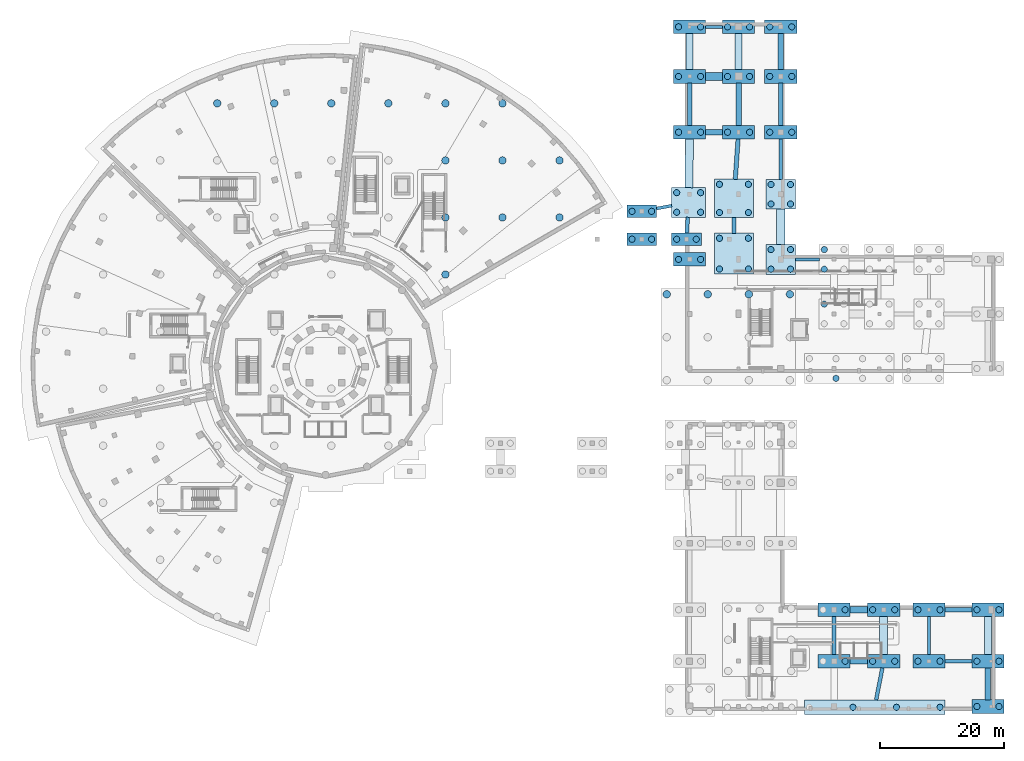
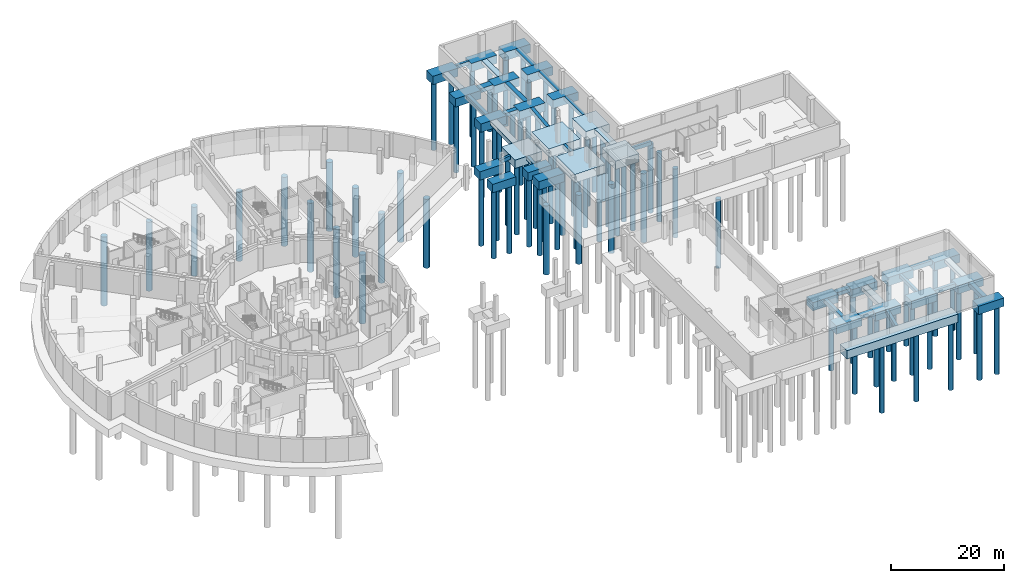
# One storey, part 2 of 33: 86 piles, 55 footings.
"""IFC4 building model written with IfcOpenShell, lengths in metres."""

from ifc_helpers import new_model, si_unit, direction, frame, origin, origin_2d, place, context, subcontext, project, spatial, rectangle, circle, extrude, material, material_profile, profile_set, type_object, element, save


model = new_model("IFC4")

# Units and contexts
model_context = context("Model", 3, precision=1e-05, world=origin(), true_north=direction((0.0, 1.0)))
body_context = subcontext(model_context, "Body", "Model", "MODEL_VIEW")
ifc_project = project(units=[si_unit("LENGTHUNIT", "METRE"), si_unit("AREAUNIT", "SQUARE_METRE"), si_unit("VOLUMEUNIT", "CUBIC_METRE"), si_unit("PLANEANGLEUNIT", "RADIAN"), si_unit("MASSUNIT", "GRAM", prefix="KILO")], contexts=[model_context])

# Site, building, storey
site_placement = place(None, origin())
site = spatial("IfcSite", under=ifc_project, at=site_placement, CompositionType="ELEMENT")
building_placement = place(site_placement, origin())
building = spatial("IfcBuilding", under=site, at=building_placement, Name="Soyqirgoq Riverine Aquarium", CompositionType="ELEMENT")
storey_placement = place(building_placement, frame((0.0, 0.0, -5.39990234375)))
storey = spatial("IfcBuildingStorey", under=building, at=storey_placement, Name="B01", CompositionType="ELEMENT", Elevation=-5.39990234375)

# Piles
ifc_material_1 = material(Name="Concrete C35/45", Category="concrete")
ifc_material_profile_1 = material_profile(ifc_material_1, circle(Radius=0.5, at=origin_2d()), Name="BP D1000")
ifc_profile_set_1 = profile_set([ifc_material_profile_1], Name="Concrete C35/45")
pile_type_1 = type_object("IfcPileType", Name="BoredPile_1000_C35", PredefinedType="BORED", material=ifc_profile_set_1)
for number, where, z_axis, x_axis, name in (
    (1, (141.0400390625, 2.074951171875, -1.7001953125), (0.0, 0.0, -1.0), (1.0, 0.0, 0.0), "Bored Pile 0104"),
    (2, (148.06005859375, 2.074951171875, -1.7001953125), (0.0, 0.0, -1.0), (1.0, 0.0, 0.0), "Bored Pile 0105"),
    (3, (155.080078125, 2.074951171875, -1.7001953125), (0.0, 0.0, -1.0), (1.0, 0.0, 0.0), "Bored Pile 0106"),
    (4, (139.780029296875, 9.5, -1.7001953125), (0.0, 0.0, -1.0), (1.0, 0.0, 0.0), "Bored Pile 0108"),
    (5, (139.780029296875, 17.800048828125, -1.7001953125), (0.0, 0.0, -1.0), (1.0, 0.0, 0.0), "Bored Pile 0110"),
    (6, (144.219970703125, 9.5, -1.7001953125), (0.0, 0.0, -1.0), (1.0, 0.0, 0.0), "Bored Pile 0111"),
    (7, (147.780029296875, 9.5, -1.7001953125), (0.0, 0.0, -1.0), (1.0, 0.0, 0.0), "Bored Pile 0112"),
    (8, (144.219970703125, 17.800048828125, -1.7001953125), (0.0, 0.0, -1.0), (1.0, 0.0, 0.0), "Bored Pile 0113"),
    (9, (147.780029296875, 17.800048828125, -1.7001953125), (0.0, 0.0, -1.0), (1.0, 0.0, 0.0), "Bored Pile 0114"),
    (10, (151.52001953125, 9.5, -1.7001953125), (0.0, 0.0, -1.0), (1.0, 0.0, 0.0), "Bored Pile 0115"),
    (11, (155.080078125, 9.5, -1.7001953125), (0.0, 0.0, -1.0), (1.0, 0.0, 0.0), "Bored Pile 0116"),
    (12, (151.52001953125, 17.800048828125, -1.7001953125), (0.0, 0.0, -1.0), (1.0, 0.0, 0.0), "Bored Pile 0117"),
    (13, (155.080078125, 17.800048828125, -1.7001953125), (0.0, 0.0, -1.0), (1.0, 0.0, 0.0), "Bored Pile 0118"),
    (14, (161.02001953125, 2.199951171875, -1.7001953125), (0.0, 0.0, -1.0), (1.0, 0.0, 0.0), "Bored Pile 0119"),
    (15, (164.580078125, 2.199951171875, -1.7001953125), (0.0, 0.0, -1.0), (1.0, 0.0, 0.0), "Bored Pile 0120"),
    (16, (161.02001953125, 9.5, -1.7001953125), (0.0, 0.0, -1.0), (1.0, 0.0, 0.0), "Bored Pile 0121"),
    (17, (164.580078125, 9.5, -1.7001953125), (0.0, 0.0, -1.0), (1.0, 0.0, 0.0), "Bored Pile 0122"),
    (18, (161.02001953125, 17.800048828125, -1.7001953125), (0.0, 0.0, -1.0), (1.0, 0.0, 0.0), "Bored Pile 0123"),
    (19, (164.580078125, 17.800048828125, -1.7001953125), (0.0, 0.0, -1.0), (1.0, 0.0, 0.0), "Bored Pile 0124"),
    (20, (112.919921875, 74.300048828125, -1.7001953125), (0.0, 0.0, -1.0), (1.0, 0.0, 0.0), "Bored Pile 0137"),
    (21, (116.47998046875, 74.300048828125, -1.7001953125), (0.0, 0.0, -1.0), (1.0, 0.0, 0.0), "Bored Pile 0138"),
    (22, (112.6201171875, 81.89501953125, -1.7001953125), (0.0, 0.0, -1.0), (1.0, 0.0, 0.0), "Bored Pile 0139"),
    (23, (112.6201171875, 85.054931640625, -1.7001953125), (0.0, 0.0, -1.0), (1.0, 0.0, 0.0), "Bored Pile 0140"),
    (24, (116.47998046875, 81.89501953125, -1.7001953125), (0.0, 0.0, -1.0), (1.0, 0.0, 0.0), "Bored Pile 0141"),
    (25, (116.47998046875, 85.054931640625, -1.7001953125), (0.0, 0.0, -1.0), (1.0, 0.0, 0.0), "Bored Pile 0142"),
    (26, (112.919921875, 94.800048828125, -1.7001953125), (0.0, 0.0, -1.0), (1.0, 0.0, 0.0), "Bored Pile 0143"),
    (27, (116.47998046875, 94.800048828125, -1.7001953125), (0.0, 0.0, -1.0), (1.0, 0.0, 0.0), "Bored Pile 0144"),
    (28, (112.919921875, 103.800048828125, -1.7001953125), (0.0, 0.0, -1.0), (1.0, 0.0, 0.0), "Bored Pile 0145"),
    (29, (116.47998046875, 103.800048828125, -1.7001953125), (0.0, 0.0, -1.0), (1.0, 0.0, 0.0), "Bored Pile 0146"),
    (30, (112.919921875, 111.800048828125, -1.7001953125), (0.0, 0.0, -1.0), (1.0, 0.0, 0.0), "Bored Pile 0147"),
    (31, (116.47998046875, 111.800048828125, -1.7001953125), (0.0, 0.0, -1.0), (1.0, 0.0, 0.0), "Bored Pile 0148"),
    (32, (119.52001953125, 72.7451171875, -1.7001953125), (0.0, 0.0, -1.0), (1.0, 0.0, 0.0), "Bored Pile 0149"),
    (33, (119.52001953125, 77.705078125, -1.7001953125), (0.0, 0.0, -1.0), (1.0, 0.0, 0.0), "Bored Pile 0150"),
    (34, (124.179931640625, 72.7451171875, -1.7001953125), (0.0, 0.0, -1.0), (1.0, 0.0, 0.0), "Bored Pile 0151"),
    (35, (124.179931640625, 77.705078125, -1.7001953125), (0.0, 0.0, -1.0), (1.0, 0.0, 0.0), "Bored Pile 0152"),
    (36, (119.52001953125, 81.844970703125, -1.7001953125), (0.0, 0.0, -1.0), (1.0, 0.0, 0.0), "Bored Pile 0153"),
    (37, (119.52001953125, 86.405029296875, -1.7001953125), (0.0, 0.0, -1.0), (1.0, 0.0, 0.0), "Bored Pile 0154"),
    (38, (124.179931640625, 81.844970703125, -1.7001953125), (0.0, 0.0, -1.0), (1.0, 0.0, 0.0), "Bored Pile 0155"),
    (39, (124.179931640625, 86.405029296875, -1.7001953125), (0.0, 0.0, -1.0), (1.0, 0.0, 0.0), "Bored Pile 0156"),
    (40, (120.820068359375, 94.800048828125, -1.7001953125), (0.0, 0.0, -1.0), (1.0, 0.0, 0.0), "Bored Pile 0157"),
    (41, (124.3798828125, 94.800048828125, -1.7001953125), (0.0, 0.0, -1.0), (1.0, 0.0, 0.0), "Bored Pile 0158"),
    (42, (120.820068359375, 103.800048828125, -1.7001953125), (0.0, 0.0, -1.0), (1.0, 0.0, 0.0), "Bored Pile 0159"),
    (43, (124.3798828125, 103.800048828125, -1.7001953125), (0.0, 0.0, -1.0), (1.0, 0.0, 0.0), "Bored Pile 0160"),
    (44, (120.820068359375, 111.800048828125, -1.7001953125), (0.0, 0.0, -1.0), (1.0, 0.0, 0.0), "Bored Pile 0161"),
    (45, (124.3798828125, 111.800048828125, -1.7001953125), (0.0, 0.0, -1.0), (1.0, 0.0, 0.0), "Bored Pile 0162"),
    (46, (127.820068359375, 72.719970703125, -1.7001953125), (0.0, 0.0, -1.0), (1.0, 0.0, 0.0), "Bored Pile 0163"),
    (47, (127.820068359375, 75.8798828125, -1.7001953125), (0.0, 0.0, -1.0), (1.0, 0.0, 0.0), "Bored Pile 0164"),
    (48, (130.97998046875, 72.719970703125, -1.7001953125), (0.0, 0.0, -1.0), (1.0, 0.0, 0.0), "Bored Pile 0165"),
    (49, (130.97998046875, 75.8798828125, -1.7001953125), (0.0, 0.0, -1.0), (1.0, 0.0, 0.0), "Bored Pile 0166"),
    (50, (127.820068359375, 83.219970703125, -1.7001953125), (0.0, 0.0, -1.0), (1.0, 0.0, 0.0), "Bored Pile 0167"),
    (51, (127.820068359375, 86.3798828125, -1.7001953125), (0.0, 0.0, -1.0), (1.0, 0.0, 0.0), "Bored Pile 0168"),
    (52, (130.97998046875, 83.219970703125, -1.7001953125), (0.0, 0.0, -1.0), (1.0, 0.0, 0.0), "Bored Pile 0169"),
    (53, (130.97998046875, 86.3798828125, -1.7001953125), (0.0, 0.0, -1.0), (1.0, 0.0, 0.0), "Bored Pile 0170"),
    (54, (127.6201171875, 94.800048828125, -1.7001953125), (0.0, 0.0, -1.0), (1.0, 0.0, 0.0), "Bored Pile 0171"),
    (55, (131.179931640625, 94.800048828125, -1.7001953125), (0.0, 0.0, -1.0), (1.0, 0.0, 0.0), "Bored Pile 0172"),
    (56, (127.6201171875, 103.800048828125, -1.7001953125), (0.0, 0.0, -1.0), (1.0, 0.0, 0.0), "Bored Pile 0173"),
    (57, (131.179931640625, 103.800048828125, -1.7001953125), (0.0, 0.0, -1.0), (1.0, 0.0, 0.0), "Bored Pile 0174"),
    (58, (127.6201171875, 111.800048828125, -1.7001953125), (0.0, 0.0, -1.0), (1.0, 0.0, 0.0), "Bored Pile 0175"),
    (59, (131.179931640625, 111.800048828125, -1.7001953125), (0.0, 0.0, -1.0), (1.0, 0.0, 0.0), "Bored Pile 0176"),
    (60, (138.306640625, 55.1201171875, -1.7001953125), (0.0, 0.0, -1.0), (1.0, 0.0, 0.0), "Bored Pile 0179"),
    (61, (136.419921875, 67.080078125, -1.7001953125), (0.0, 0.0, -1.0), (1.0, 0.0, 0.0), "Bored Pile 0186"),
    (62, (136.419921875, 72.719970703125, -1.7001953125), (0.0, 0.0, -1.0), (1.0, 0.0, 0.0), "Bored Pile 0189"),
    (63, (136.419921875, 75.8798828125, -1.7001953125), (0.0, 0.0, -1.0), (1.0, 0.0, 0.0), "Bored Pile 0190"),
    (64, (105.419921875, 77.550048828125, -1.7001953125), (0.0, 0.0, -1.0), (1.0, 0.0, 0.0), "Bored Pile 0227"),
    (65, (108.580078125, 77.550048828125, -1.7001953125), (0.0, 0.0, -1.0), (1.0, 0.0, 0.0), "Bored Pile 0228"),
    (66, (105.419921875, 82.050048828125, -1.7001953125), (0.0, 0.0, -1.0), (1.0, 0.0, 0.0), "Bored Pile 0229"),
    (67, (108.580078125, 82.050048828125, -1.7001953125), (0.0, 0.0, -1.0), (1.0, 0.0, 0.0), "Bored Pile 0230"),
    (68, (112.6201171875, 77.550048828125, -1.7001953125), (0.0, 0.0, -1.0), (1.0, 0.0, 0.0), "Bored Pile 0231"),
    (69, (115.780029296875, 77.550048828125, -1.7001953125), (0.0, 0.0, -1.0), (1.0, 0.0, 0.0), "Bored Pile 0232"),
):
    element("IfcPile", number, at=place(storey_placement, frame(where, z_axis=z_axis, x_axis=x_axis)), inside=storey, type_object=pile_type_1, Name=name, PredefinedType="BORED", context=body_context, shape_type="SweptSolid", body=[
        extrude(circle(Radius=0.5, at=origin_2d()), origin(), (0.0, 0.0, 1.0), 14.89990234375),
    ])
ifc_material_2 = material(Name="Concrete C35/45", Category="concrete")
ifc_material_profile_2 = material_profile(ifc_material_2, circle(Radius=0.60009765625, at=origin_2d()), Name="BP D1200")
ifc_profile_set_2 = profile_set([ifc_material_profile_2], Name="Concrete C35/45")
pile_type_2 = type_object("IfcPileType", Name="BoredPile_1200_C35", PredefinedType="BORED", material=ifc_profile_set_2)
for number, where, z_axis, x_axis, name in (
    (70, (38.52880859375, 99.458984375, -1.7001953125), (0.0, 0.0, -1.0), (1.0, 0.0, 0.0), "Bored Pile 0025"),
    (71, (47.72900390625, 99.458984375, -1.7001953125), (0.0, 0.0, -1.0), (1.0, 0.0, 0.0), "Bored Pile 0033"),
    (72, (56.928955078125, 99.458984375, -1.7001953125), (0.0, 0.0, -1.0), (1.0, 0.0, 0.0), "Bored Pile 0040"),
    (73, (66.12890625, 99.458984375, -1.7001953125), (0.0, 0.0, -1.0), (1.0, 0.0, 0.0), "Bored Pile 0046"),
    (74, (75.328857421875, 71.85888671875, -1.7001953125), (0.0, 0.0, -1.0), (1.0, 0.0, 0.0), "Bored Pile 0047"),
    (75, (75.328857421875, 81.05908203125, -1.7001953125), (0.0, 0.0, -1.0), (1.0, 0.0, 0.0), "Bored Pile 0048"),
    (76, (75.328857421875, 90.259033203125, -1.7001953125), (0.0, 0.0, -1.0), (1.0, 0.0, 0.0), "Bored Pile 0049"),
    (77, (75.328857421875, 99.458984375, -1.7001953125), (0.0, 0.0, -1.0), (1.0, 0.0, 0.0), "Bored Pile 0050"),
    (78, (84.52880859375, 81.05908203125, -1.7001953125), (0.0, 0.0, -1.0), (1.0, 0.0, 0.0), "Bored Pile 0051"),
    (79, (84.52880859375, 90.259033203125, -1.7001953125), (0.0, 0.0, -1.0), (1.0, 0.0, 0.0), "Bored Pile 0052"),
    (80, (84.52880859375, 99.458984375, -1.7001953125), (0.0, 0.0, -1.0), (1.0, 0.0, 0.0), "Bored Pile 0053"),
    (81, (93.72900390625, 81.05908203125, -1.7001953125), (0.0, 0.0, -1.0), (1.0, 0.0, 0.0), "Bored Pile 0054"),
    (82, (93.72900390625, 90.259033203125, -1.7001953125), (0.0, 0.0, -1.0), (1.0, 0.0, 0.0), "Bored Pile 0055"),
    (83, (111.02001953125, 68.679931640625, -1.7001953125), (0.0, 0.0, -1.0), (1.0, 0.0, 0.0), "Bored Pile 0127"),
    (84, (117.639892578125, 68.679931640625, -1.7001953125), (0.0, 0.0, -1.0), (1.0, 0.0, 0.0), "Bored Pile 0130"),
    (85, (124.260009765625, 68.679931640625, -1.7001953125), (0.0, 0.0, -1.0), (1.0, 0.0, 0.0), "Bored Pile 0133"),
    (86, (130.8798828125, 68.679931640625, -1.7001953125), (0.0, 0.0, -1.0), (1.0, 0.0, 0.0), "Bored Pile 0136"),
):
    element("IfcPile", number, at=place(storey_placement, frame(where, z_axis=z_axis, x_axis=x_axis)), inside=storey, type_object=pile_type_2, Name=name, PredefinedType="BORED", context=body_context, shape_type="SweptSolid", body=[
        extrude(circle(Radius=0.60009765625, at=origin_2d()), origin(), (0.0, 0.0, 1.0), 14.89990234375),
    ])

# Footings
ifc_material_3 = material(Name="Concrete C35/45", Category="concrete")
ifc_material_profile_3 = material_profile(ifc_material_3, rectangle(XDim=0.5, YDim=0.800048828125, at=origin_2d()), Name="RC 500x800")
ifc_profile_set_3 = profile_set([ifc_material_profile_3], Name="Concrete C35/45")
footing_type_1 = type_object("IfcFootingType", Name="GroundBeam_500x800", PredefinedType="FOOTING_BEAM", material=ifc_profile_set_3)
footing_1_placement = place(storey_placement, frame((153.300048828125, 10.580078125, -0.400146484375), z_axis=(0.0, 1.0, 0.0), x_axis=(-1.0, 0.0, 0.0)))
element("IfcFooting", 87, at=footing_1_placement, inside=storey, type_object=footing_type_1, Name="Foundation Tie Beam 019", PredefinedType="FOOTING_BEAM", context=body_context, shape_type="SweptSolid", body=[
    extrude(rectangle(XDim=0.5, YDim=0.800048828125, at=origin_2d()), origin(), (0.0, 0.0, 1.0), 6.139892578125),
])
footing_2_placement = place(storey_placement, frame((111.820068359375, 82.959716796875, -0.400146484375), z_axis=(-0.982658949896, -0.185422189045, 0.0), x_axis=(0.185422189045, -0.982658949896, 0.0)))
element("IfcFooting", 88, at=footing_2_placement, inside=storey, type_object=footing_type_1, Name="Foundation Tie Beam 025", PredefinedType="FOOTING_BEAM", context=body_context, shape_type="SweptSolid", body=[
    extrude(rectangle(XDim=0.5, YDim=0.800048828125, at=origin_2d()), origin(), (0.0, 0.0, 1.0), 2.483154296875),
])
footing_3_placement = place(storey_placement, frame((117.280029296875, 111.800048828125, -0.400146484375), z_axis=(1.0, 0.0, 0.0), x_axis=(0.0, 1.0, 0.0)))
element("IfcFooting", 89, at=footing_3_placement, inside=storey, type_object=footing_type_1, Name="Foundation Tie Beam 031", PredefinedType="FOOTING_BEAM", context=body_context, shape_type="SweptSolid", body=[
    extrude(rectangle(XDim=0.5, YDim=0.800048828125, at=origin_2d()), origin(), (0.0, 0.0, 1.0), 2.739990234375),
])
footing_4_placement = place(storey_placement, frame((131.780029296875, 74.300048828125, -0.400146484375), z_axis=(1.0, 0.0, 0.0), x_axis=(0.0, 1.0, 0.0)))
element("IfcFooting", 90, at=footing_4_placement, inside=storey, type_object=footing_type_1, Name="Foundation Tie Beam 037", PredefinedType="FOOTING_BEAM", context=body_context, shape_type="SweptSolid", body=[
    extrude(rectangle(XDim=0.5, YDim=0.800048828125, at=origin_2d()), origin(), (0.0, 0.0, 1.0), 3.840087890625),
])
ifc_material_4 = material(Name="Concrete C35/45", Category="concrete")
ifc_material_profile_4 = material_profile(ifc_material_4, rectangle(XDim=0.60009765625, YDim=0.800048828125, at=origin_2d()), Name="RC 600x800")
ifc_profile_set_4 = profile_set([ifc_material_profile_4], Name="Concrete C35/45")
footing_type_2 = type_object("IfcFootingType", Name="GroundBeam_600x800", PredefinedType="FOOTING_BEAM", material=ifc_profile_set_4)
footing_5_placement = place(storey_placement, frame((144.780517578125, 3.2548828125, -0.400146484375), z_axis=(0.191644428538, 0.981464422692, 0.0), x_axis=(-0.981464422692, 0.191644428538, 0.0)))
element("IfcFooting", 91, at=footing_5_placement, inside=storey, type_object=footing_type_2, Name="Foundation Tie Beam 014", PredefinedType="FOOTING_BEAM", context=body_context, shape_type="SweptSolid", body=[
    extrude(rectangle(XDim=0.60009765625, YDim=0.800048828125, at=origin_2d()), origin(), (0.0, 0.0, 1.0), 5.2626953125),
])
footing_6_placement = place(storey_placement, frame((155.8798828125, 9.5, -0.400146484375), z_axis=(1.0, 0.0, 0.0), x_axis=(0.0, 1.0, 0.0)))
element("IfcFooting", 92, at=footing_6_placement, inside=storey, type_object=footing_type_2, Name="Foundation Tie Beam 020", PredefinedType="FOOTING_BEAM", context=body_context, shape_type="SweptSolid", body=[
    extrude(rectangle(XDim=0.60009765625, YDim=0.800048828125, at=origin_2d()), origin(), (0.0, 0.0, 1.0), 4.340087890625),
])
footing_7_placement = place(storey_placement, frame((114.409423828125, 81.094970703125, -0.400146484375), z_axis=(-0.059006090206, -0.99825762272, 0.0), x_axis=(0.99825762272, -0.059006090206, 0.0)))
element("IfcFooting", 93, at=footing_7_placement, inside=storey, type_object=footing_type_2, Name="Foundation Tie Beam 026", PredefinedType="FOOTING_BEAM", context=body_context, shape_type="SweptSolid", body=[
    extrude(rectangle(XDim=0.60009765625, YDim=0.800048828125, at=origin_2d()), origin(), (0.0, 0.0, 1.0), 2.5693359375),
])
footing_8_placement = place(storey_placement, frame((121.85009765625, 78.5048828125, -0.400146484375), z_axis=(0.0, 1.0, 0.0), x_axis=(-1.0, 0.0, 0.0)))
element("IfcFooting", 94, at=footing_8_placement, inside=storey, type_object=footing_type_2, Name="Foundation Tie Beam 032", PredefinedType="FOOTING_BEAM", context=body_context, shape_type="SweptSolid", body=[
    extrude(rectangle(XDim=0.60009765625, YDim=0.800048828125, at=origin_2d()), origin(), (0.0, 0.0, 1.0), 2.5400390625),
])
footing_9_placement = place(storey_placement, frame((129.39990234375, 87.179931640625, -0.400146484375), z_axis=(0.0, 1.0, 0.0), x_axis=(-1.0, 0.0, 0.0)))
element("IfcFooting", 95, at=footing_9_placement, inside=storey, type_object=footing_type_2, Name="Foundation Tie Beam 038", PredefinedType="FOOTING_BEAM", context=body_context, shape_type="SweptSolid", body=[
    extrude(rectangle(XDim=0.60009765625, YDim=0.800048828125, at=origin_2d()), origin(), (0.0, 0.0, 1.0), 6.5400390625),
])
ifc_material_5 = material(Name="Concrete C35/45", Category="concrete")
ifc_material_profile_5 = material_profile(ifc_material_5, rectangle(XDim=0.699951171875, YDim=0.89990234375, at=origin_2d()), Name="RC 700x900")
ifc_profile_set_5 = profile_set([ifc_material_profile_5], Name="Concrete C35/45")
footing_type_3 = type_object("IfcFootingType", Name="GroundBeam_700x900", PredefinedType="FOOTING_BEAM", material=ifc_profile_set_5)
footing_10_placement = place(storey_placement, frame((138.0, 10.580078125, -0.4501953125), z_axis=(0.0, 1.0, 0.0), x_axis=(-1.0, 0.0, 0.0)))
element("IfcFooting", 96, at=footing_10_placement, inside=storey, type_object=footing_type_3, Name="Foundation Tie Beam 015", PredefinedType="FOOTING_BEAM", context=body_context, shape_type="SweptSolid", body=[
    extrude(rectangle(XDim=0.699951171875, YDim=0.89990234375, at=origin_2d()), origin(), (0.0, 0.0, 1.0), 6.139892578125),
])
footing_11_placement = place(storey_placement, frame((155.8798828125, 17.800048828125, -0.4501953125), z_axis=(1.0, 0.0, 0.0), x_axis=(0.0, 1.0, 0.0)))
element("IfcFooting", 97, at=footing_11_placement, inside=storey, type_object=footing_type_3, Name="Foundation Tie Beam 021", PredefinedType="FOOTING_BEAM", context=body_context, shape_type="SweptSolid", body=[
    extrude(rectangle(XDim=0.699951171875, YDim=0.89990234375, at=origin_2d()), origin(), (0.0, 0.0, 1.0), 4.340087890625),
])
footing_12_placement = place(storey_placement, frame((114.699951171875, 95.8798828125, -0.4501953125), z_axis=(0.0, 1.0, 0.0), x_axis=(-1.0, 0.0, 0.0)))
element("IfcFooting", 98, at=footing_12_placement, inside=storey, type_object=footing_type_3, Name="Foundation Tie Beam 027", PredefinedType="FOOTING_BEAM", context=body_context, shape_type="SweptSolid", body=[
    extrude(rectangle(XDim=0.699951171875, YDim=0.89990234375, at=origin_2d()), origin(), (0.0, 0.0, 1.0), 6.840087890625),
])
footing_13_placement = place(storey_placement, frame((122.06640625, 87.205078125, -0.4501953125), z_axis=(0.070091383823, 0.99754057457, 0.0), x_axis=(-0.99754057457, 0.070091383823, 0.0)))
element("IfcFooting", 99, at=footing_13_placement, inside=storey, type_object=footing_type_3, Name="Foundation Tie Beam 033", PredefinedType="FOOTING_BEAM", context=body_context, shape_type="SweptSolid", body=[
    extrude(rectangle(XDim=0.699951171875, YDim=0.89990234375, at=origin_2d()), origin(), (0.0, 0.0, 1.0), 6.531005859375),
])
footing_14_placement = place(storey_placement, frame((129.39990234375, 95.8798828125, -0.4501953125), z_axis=(0.0, 1.0, 0.0), x_axis=(-1.0, 0.0, 0.0)))
element("IfcFooting", 100, at=footing_14_placement, inside=storey, type_object=footing_type_3, Name="Foundation Tie Beam 039", PredefinedType="FOOTING_BEAM", context=body_context, shape_type="SweptSolid", body=[
    extrude(rectangle(XDim=0.699951171875, YDim=0.89990234375, at=origin_2d()), origin(), (0.0, 0.0, 1.0), 6.840087890625),
])
ifc_material_6 = material(Name="Concrete C35/45", Category="concrete")
footing_type_4 = type_object("IfcFootingType", Name="PileCap_2P_4800x2000", PredefinedType="PILE_CAP", material=ifc_material_6)
for number, where, z_axis, x_axis, name in (
    (101, (107.0, 77.550048828125, -1.80029296875), (0.0, 0.0, 1.0), (1.0, 0.0, 0.0), "Pile Cap 056"),
    (102, (107.0, 82.050048828125, -1.80029296875), (0.0, 0.0, 1.0), (1.0, 0.0, 0.0), "Pile Cap 057"),
    (103, (114.199951171875, 77.550048828125, -1.80029296875), (0.0, 0.0, 1.0), (1.0, 0.0, 0.0), "Pile Cap 058"),
):
    element("IfcFooting", number, at=place(storey_placement, frame(where, z_axis=z_axis, x_axis=x_axis)), inside=storey, type_object=footing_type_4, Name=name, PredefinedType="PILE_CAP", context=body_context, shape_type="SweptSolid", body=[
        extrude(rectangle(XDim=4.800048828125, YDim=2.0, at=origin_2d()), origin(), (0.0, 0.0, 1.0), 1.800048828125),
    ])
ifc_material_7 = material(Name="Concrete C35/45", Category="concrete")
footing_type_5 = type_object("IfcFootingType", Name="PileCap_2P_5200x2200", PredefinedType="PILE_CAP", material=ifc_material_7)
for number, where, z_axis, x_axis, name in (
    (104, (138.0, 9.5, -1.80029296875), (0.0, 0.0, 1.0), (1.0, 0.0, 0.0), "Pile Cap 016"),
    (105, (138.0, 17.800048828125, -1.80029296875), (0.0, 0.0, 1.0), (1.0, 0.0, 0.0), "Pile Cap 017"),
    (106, (146.0, 9.5, -1.80029296875), (0.0, 0.0, 1.0), (1.0, 0.0, 0.0), "Pile Cap 018"),
    (107, (146.0, 17.800048828125, -1.80029296875), (0.0, 0.0, 1.0), (1.0, 0.0, 0.0), "Pile Cap 019"),
    (108, (153.300048828125, 9.5, -1.80029296875), (0.0, 0.0, 1.0), (1.0, 0.0, 0.0), "Pile Cap 020"),
    (109, (153.300048828125, 17.800048828125, -1.80029296875), (0.0, 0.0, 1.0), (1.0, 0.0, 0.0), "Pile Cap 021"),
    (110, (162.800048828125, 2.199951171875, -1.80029296875), (0.0, 0.0, 1.0), (1.0, 0.0, 0.0), "Pile Cap 022"),
    (111, (162.800048828125, 9.5, -1.80029296875), (0.0, 0.0, 1.0), (1.0, 0.0, 0.0), "Pile Cap 023"),
    (112, (162.800048828125, 17.800048828125, -1.80029296875), (0.0, 0.0, 1.0), (1.0, 0.0, 0.0), "Pile Cap 024"),
    (113, (114.699951171875, 74.300048828125, -1.80029296875), (0.0, 0.0, 1.0), (1.0, 0.0, 0.0), "Pile Cap 026"),
    (114, (114.699951171875, 94.800048828125, -1.80029296875), (0.0, 0.0, 1.0), (1.0, 0.0, 0.0), "Pile Cap 028"),
    (115, (114.699951171875, 103.800048828125, -1.80029296875), (0.0, 0.0, 1.0), (1.0, 0.0, 0.0), "Pile Cap 029"),
    (116, (114.699951171875, 111.800048828125, -1.80029296875), (0.0, 0.0, 1.0), (1.0, 0.0, 0.0), "Pile Cap 030"),
    (117, (122.60009765625, 94.800048828125, -1.80029296875), (0.0, 0.0, 1.0), (1.0, 0.0, 0.0), "Pile Cap 033"),
    (118, (122.60009765625, 103.800048828125, -1.80029296875), (0.0, 0.0, 1.0), (1.0, 0.0, 0.0), "Pile Cap 034"),
    (119, (122.60009765625, 111.800048828125, -1.80029296875), (0.0, 0.0, 1.0), (1.0, 0.0, 0.0), "Pile Cap 035"),
    (120, (129.39990234375, 94.800048828125, -1.80029296875), (0.0, 0.0, 1.0), (1.0, 0.0, 0.0), "Pile Cap 038"),
    (121, (129.39990234375, 103.800048828125, -1.80029296875), (0.0, 0.0, 1.0), (1.0, 0.0, 0.0), "Pile Cap 039"),
    (122, (129.39990234375, 111.800048828125, -1.80029296875), (0.0, 0.0, 1.0), (1.0, 0.0, 0.0), "Pile Cap 040"),
):
    element("IfcFooting", number, at=place(storey_placement, frame(where, z_axis=z_axis, x_axis=x_axis)), inside=storey, type_object=footing_type_5, Name=name, PredefinedType="PILE_CAP", context=body_context, shape_type="SweptSolid", body=[
        extrude(rectangle(XDim=5.199951171875, YDim=2.199951171875, at=origin_2d()), origin(), (0.0, 0.0, 1.0), 1.800048828125),
    ])
ifc_material_8 = material(Name="Concrete C35/45", Category="concrete")
footing_type_6 = type_object("IfcFootingType", Name="PileCap_4P_4800x4800", PredefinedType="PILE_CAP", material=ifc_material_8)
for number, where, z_axis, x_axis, name in (
    (123, (129.39990234375, 74.300048828125, -1.80029296875), (0.0, 0.0, 1.0), (1.0, 0.0, 0.0), "Pile Cap 036"),
    (124, (129.39990234375, 84.800048828125, -1.80029296875), (0.0, 0.0, 1.0), (1.0, 0.0, 0.0), "Pile Cap 037"),
):
    element("IfcFooting", number, at=place(storey_placement, frame(where, z_axis=z_axis, x_axis=x_axis)), inside=storey, type_object=footing_type_6, Name=name, PredefinedType="PILE_CAP", context=body_context, shape_type="SweptSolid", body=[
        extrude(rectangle(XDim=4.800048828125, YDim=4.800048828125, at=origin_2d()), origin(), (0.0, 0.0, 1.0), 1.800048828125),
    ])
ifc_material_9 = material(Name="Concrete C35/45", Category="concrete")
footing_type_7 = type_object("IfcFootingType", Name="PileCap_Comb_22700x2400", PredefinedType="PILE_CAP", material=ifc_material_9)
footing_15_placement = place(storey_placement, frame((144.550048828125, 2.074951171875, -1.80029296875), z_axis=(0.0, 0.0, 1.0), x_axis=(1.0, 0.0, 0.0)))
element("IfcFooting", 125, at=footing_15_placement, inside=storey, type_object=footing_type_7, Name="Pile Cap 015", PredefinedType="PILE_CAP", context=body_context, shape_type="SweptSolid", body=[
    extrude(rectangle(XDim=22.699951171875, YDim=2.39990234375, at=origin_2d()), origin(), (0.0, 0.0, 1.0), 1.800048828125),
])
ifc_material_10 = material(Name="Concrete C35/45", Category="concrete")
footing_type_8 = type_object("IfcFootingType", Name="PileCap_Comb_5500x4800", PredefinedType="PILE_CAP", material=ifc_material_10)
footing_16_placement = place(storey_placement, frame((114.550048828125, 83.47509765625, -1.80029296875), z_axis=(0.0, 0.0, 1.0), x_axis=(1.0, 0.0, 0.0)))
element("IfcFooting", 126, at=footing_16_placement, inside=storey, type_object=footing_type_8, Name="Pile Cap 027", PredefinedType="PILE_CAP", context=body_context, shape_type="SweptSolid", body=[
    extrude(rectangle(XDim=5.5, YDim=4.800048828125, at=origin_2d()), origin(), (0.0, 0.0, 1.0), 1.800048828125),
])
ifc_material_11 = material(Name="Concrete C35/45", Category="concrete")
footing_type_9 = type_object("IfcFootingType", Name="PileCap_Comb_6300x6200", PredefinedType="PILE_CAP", material=ifc_material_11)
footing_17_placement = place(storey_placement, frame((121.85009765625, 84.125, -1.80029296875), z_axis=(0.0, 0.0, 1.0), x_axis=(1.0, 0.0, 0.0)))
element("IfcFooting", 127, at=footing_17_placement, inside=storey, type_object=footing_type_9, Name="Pile Cap 032", PredefinedType="PILE_CAP", context=body_context, shape_type="SweptSolid", body=[
    extrude(rectangle(XDim=6.300048828125, YDim=6.199951171875, at=origin_2d()), origin(), (0.0, 0.0, 1.0), 1.800048828125),
])
ifc_material_12 = material(Name="Concrete C35/45", Category="concrete")
footing_type_10 = type_object("IfcFootingType", Name="PileCap_Comb_6300x6600", PredefinedType="PILE_CAP", material=ifc_material_12)
footing_18_placement = place(storey_placement, frame((121.85009765625, 75.22509765625, -1.80029296875), z_axis=(0.0, 0.0, 1.0), x_axis=(1.0, 0.0, 0.0)))
element("IfcFooting", 128, at=footing_18_placement, inside=storey, type_object=footing_type_10, Name="Pile Cap 031", PredefinedType="PILE_CAP", context=body_context, shape_type="SweptSolid", body=[
    extrude(rectangle(XDim=6.300048828125, YDim=6.60009765625, at=origin_2d()), origin(), (0.0, 0.0, 1.0), 1.800048828125),
])
ifc_material_13 = material(Name="Concrete C35/45", Category="concrete")
ifc_material_profile_6 = material_profile(ifc_material_13, rectangle(XDim=1.10009765625, YDim=0.800048828125, at=origin_2d()), Name="RC 1100x800")
ifc_profile_set_6 = profile_set([ifc_material_profile_6], Name="Concrete C35/45")
footing_type_11 = type_object("IfcFootingType", Name="StripFooting_1100x800", PredefinedType="STRIP_FOOTING", material=ifc_profile_set_6)
footing_19_placement = place(storey_placement, frame((140.580078125, 17.800048828125, -0.400146484375), z_axis=(1.0, 0.0, 0.0), x_axis=(0.0, 1.0, 0.0)))
element("IfcFooting", 129, at=footing_19_placement, inside=storey, type_object=footing_type_11, Name="Foundation Tie Beam 017", PredefinedType="STRIP_FOOTING", context=body_context, shape_type="SweptSolid", body=[
    extrude(rectangle(XDim=1.10009765625, YDim=0.800048828125, at=origin_2d()), origin(), (0.0, 0.0, 1.0), 2.83984375),
])
footing_20_placement = place(storey_placement, frame((162.800048828125, 10.580078125, -0.400146484375), z_axis=(0.0, 1.0, 0.0), x_axis=(-1.0, 0.0, 0.0)))
element("IfcFooting", 130, at=footing_20_placement, inside=storey, type_object=footing_type_11, Name="Foundation Tie Beam 023", PredefinedType="STRIP_FOOTING", context=body_context, shape_type="SweptSolid", body=[
    extrude(rectangle(XDim=1.10009765625, YDim=0.800048828125, at=origin_2d()), origin(), (0.0, 0.0, 1.0), 6.139892578125),
])
for number, where, z_axis, x_axis, name in (
    (131, (114.699951171875, 104.8798828125, -0.400146484375), (0.0, 1.0, 0.0), (-1.0, 0.0, 0.0), "Foundation Tie Beam 029"),
    (132, (122.60009765625, 104.8798828125, -0.400146484375), (0.0, 1.0, 0.0), (-1.0, 0.0, 0.0), "Foundation Tie Beam 035"),
):
    element("IfcFooting", number, at=place(storey_placement, frame(where, z_axis=z_axis, x_axis=x_axis)), inside=storey, type_object=footing_type_11, Name=name, PredefinedType="STRIP_FOOTING", context=body_context, shape_type="SweptSolid", body=[
        extrude(rectangle(XDim=1.10009765625, YDim=0.800048828125, at=origin_2d()), origin(), (0.0, 0.0, 1.0), 5.840087890625),
    ])
ifc_material_14 = material(Name="Concrete C35/45", Category="concrete")
ifc_material_profile_7 = material_profile(ifc_material_14, rectangle(XDim=1.300048828125, YDim=0.89990234375, at=origin_2d()), Name="RC 1300x900")
ifc_profile_set_7 = profile_set([ifc_material_profile_7], Name="Concrete C35/45")
footing_type_12 = type_object("IfcFootingType", Name="StripFooting_1300x900", PredefinedType="STRIP_FOOTING", material=ifc_profile_set_7)
footing_21_placement = place(storey_placement, frame((146.0, 10.580078125, -0.4501953125), z_axis=(0.0, 1.0, 0.0), x_axis=(-1.0, 0.0, 0.0)))
element("IfcFooting", 133, at=footing_21_placement, inside=storey, type_object=footing_type_12, Name="Foundation Tie Beam 018", PredefinedType="STRIP_FOOTING", context=body_context, shape_type="SweptSolid", body=[
    extrude(rectangle(XDim=1.300048828125, YDim=0.89990234375, at=origin_2d()), origin(), (0.0, 0.0, 1.0), 6.139892578125),
])
footing_22_placement = place(storey_placement, frame((114.58154296875, 85.85498046875, -0.4501953125), z_axis=(0.013253530833, 0.999912168103, 0.0), x_axis=(-0.999912168103, 0.013253530833, 0.0)))
element("IfcFooting", 134, at=footing_22_placement, inside=storey, type_object=footing_type_12, Name="Foundation Tie Beam 024", PredefinedType="STRIP_FOOTING", context=body_context, shape_type="SweptSolid", body=[
    extrude(rectangle(XDim=1.300048828125, YDim=0.89990234375, at=origin_2d()), origin(), (0.0, 0.0, 1.0), 7.86572265625),
])
footing_23_placement = place(storey_placement, frame((117.280029296875, 103.800048828125, -0.4501953125), z_axis=(1.0, 0.0, 0.0), x_axis=(0.0, 1.0, 0.0)))
element("IfcFooting", 135, at=footing_23_placement, inside=storey, type_object=footing_type_12, Name="Foundation Tie Beam 030", PredefinedType="STRIP_FOOTING", context=body_context, shape_type="SweptSolid", body=[
    extrude(rectangle(XDim=1.300048828125, YDim=0.89990234375, at=origin_2d()), origin(), (0.0, 0.0, 1.0), 2.739990234375),
])
footing_24_placement = place(storey_placement, frame((129.39990234375, 76.679931640625, -0.4501953125), z_axis=(0.0, 1.0, 0.0), x_axis=(-1.0, 0.0, 0.0)))
element("IfcFooting", 136, at=footing_24_placement, inside=storey, type_object=footing_type_12, Name="Foundation Tie Beam 036", PredefinedType="STRIP_FOOTING", context=body_context, shape_type="SweptSolid", body=[
    extrude(rectangle(XDim=1.300048828125, YDim=0.89990234375, at=origin_2d()), origin(), (0.0, 0.0, 1.0), 5.739990234375),
])
ifc_material_15 = material(Name="Concrete C35/45", Category="concrete")
ifc_material_profile_8 = material_profile(ifc_material_15, rectangle(XDim=0.89990234375, YDim=0.800048828125, at=origin_2d()), Name="RC 900x800")
ifc_profile_set_8 = profile_set([ifc_material_profile_8], Name="Concrete C35/45")
footing_type_13 = type_object("IfcFootingType", Name="StripFooting_900x800", PredefinedType="STRIP_FOOTING", material=ifc_profile_set_8)
footing_25_placement = place(storey_placement, frame((140.580078125, 9.5, -0.400146484375), z_axis=(1.0, 0.0, 0.0), x_axis=(0.0, 1.0, 0.0)))
element("IfcFooting", 137, at=footing_25_placement, inside=storey, type_object=footing_type_13, Name="Foundation Tie Beam 016", PredefinedType="STRIP_FOOTING", context=body_context, shape_type="SweptSolid", body=[
    extrude(rectangle(XDim=0.89990234375, YDim=0.800048828125, at=origin_2d()), origin(), (0.0, 0.0, 1.0), 2.83984375),
])
footing_26_placement = place(storey_placement, frame((162.800048828125, 3.280029296875, -0.400146484375), z_axis=(0.0, 1.0, 0.0), x_axis=(-1.0, 0.0, 0.0)))
element("IfcFooting", 138, at=footing_26_placement, inside=storey, type_object=footing_type_13, Name="Foundation Tie Beam 022", PredefinedType="STRIP_FOOTING", context=body_context, shape_type="SweptSolid", body=[
    extrude(rectangle(XDim=0.89990234375, YDim=0.800048828125, at=origin_2d()), origin(), (0.0, 0.0, 1.0), 5.139892578125),
])
footing_27_placement = place(storey_placement, frame((117.280029296875, 94.800048828125, -0.400146484375), z_axis=(1.0, 0.0, 0.0), x_axis=(0.0, 1.0, 0.0)))
element("IfcFooting", 139, at=footing_27_placement, inside=storey, type_object=footing_type_13, Name="Foundation Tie Beam 028", PredefinedType="STRIP_FOOTING", context=body_context, shape_type="SweptSolid", body=[
    extrude(rectangle(XDim=0.89990234375, YDim=0.800048828125, at=origin_2d()), origin(), (0.0, 0.0, 1.0), 2.739990234375),
])
footing_28_placement = place(storey_placement, frame((122.60009765625, 95.8798828125, -0.400146484375), z_axis=(0.0, 1.0, 0.0), x_axis=(-1.0, 0.0, 0.0)))
element("IfcFooting", 140, at=footing_28_placement, inside=storey, type_object=footing_type_13, Name="Foundation Tie Beam 034", PredefinedType="STRIP_FOOTING", context=body_context, shape_type="SweptSolid", body=[
    extrude(rectangle(XDim=0.89990234375, YDim=0.800048828125, at=origin_2d()), origin(), (0.0, 0.0, 1.0), 6.840087890625),
])
footing_29_placement = place(storey_placement, frame((129.39990234375, 104.8798828125, -0.400146484375), z_axis=(0.0, 1.0, 0.0), x_axis=(-1.0, 0.0, 0.0)))
element("IfcFooting", 141, at=footing_29_placement, inside=storey, type_object=footing_type_13, Name="Foundation Tie Beam 040", PredefinedType="STRIP_FOOTING", context=body_context, shape_type="SweptSolid", body=[
    extrude(rectangle(XDim=0.89990234375, YDim=0.800048828125, at=origin_2d()), origin(), (0.0, 0.0, 1.0), 5.840087890625),
])

save(model, "model.ifc")
